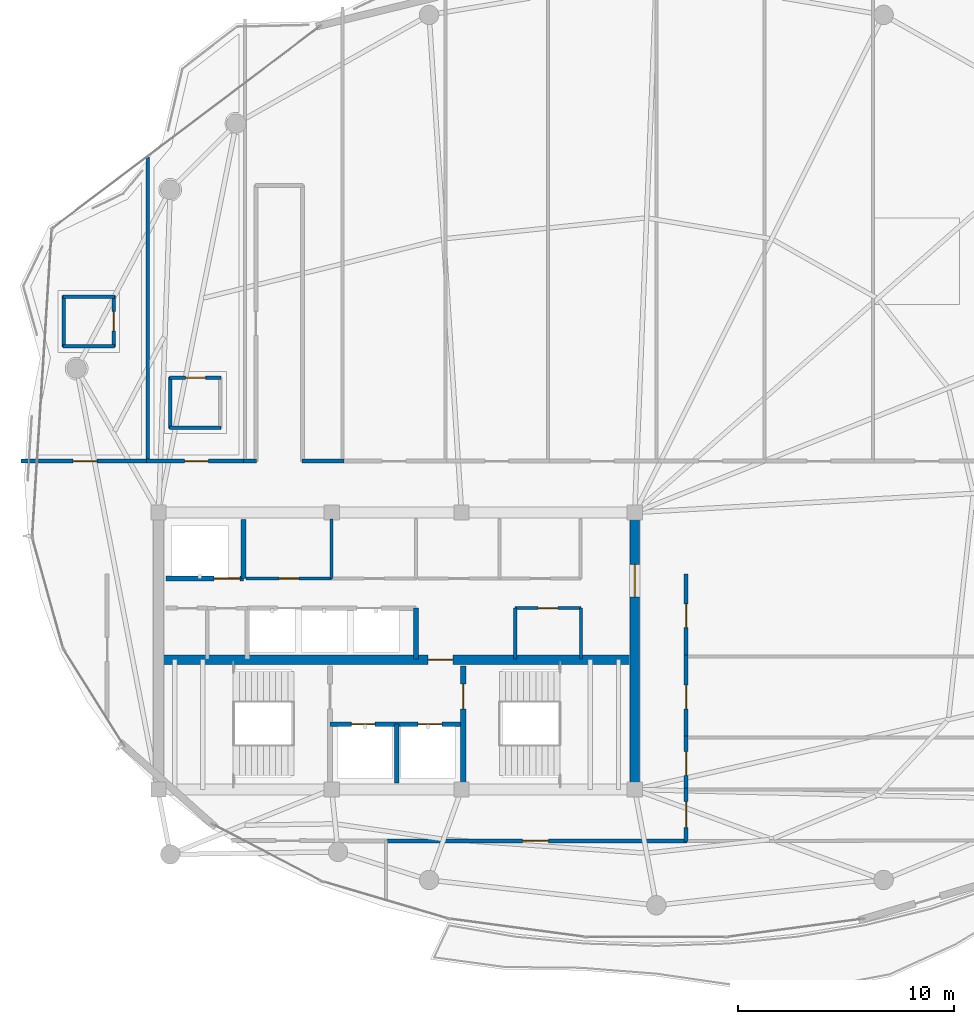
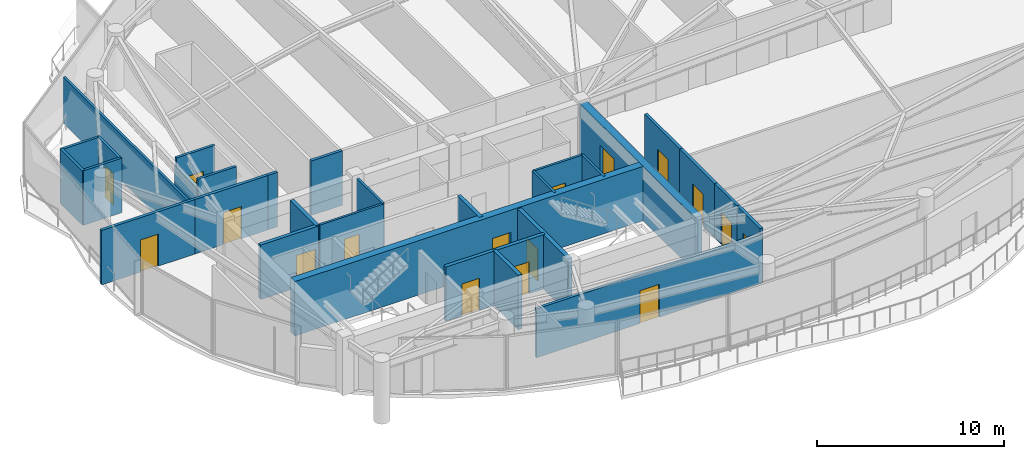
# One storey, part 25 of 30: 30 walls, 17 doors, 17 openings.
"""IFC4 building model written with IfcOpenShell, lengths in metres."""

from ifc_helpers import new_model, si_unit, direction, frame, frame_2d, origin, place, context, subcontext, project, spatial, rectangle, extrude, material, layer, layer_set, type_object, element, fill, save


model = new_model("IFC4")

# Units and contexts
model_context = context("Model", 3, precision=1e-05, world=origin(), true_north=direction((0.0, 1.0)))
body_context = subcontext(model_context, "Body", "Model", "MODEL_VIEW")
ifc_project = project(units=[si_unit("LENGTHUNIT", "METRE"), si_unit("AREAUNIT", "SQUARE_METRE"), si_unit("VOLUMEUNIT", "CUBIC_METRE"), si_unit("PLANEANGLEUNIT", "RADIAN"), si_unit("MASSUNIT", "GRAM", prefix="KILO")], contexts=[model_context])

# Site, building, storey
site_placement = place(None, origin())
site = spatial("IfcSite", under=ifc_project, at=site_placement, CompositionType="ELEMENT")
building_placement = place(site_placement, origin())
building = spatial("IfcBuilding", under=site, at=building_placement, Name="Kazevale Care Tower and Concert Hall", CompositionType="ELEMENT")
storey_placement = place(building_placement, frame((0.0, 0.0, 258.60009765625)))
storey = spatial("IfcBuildingStorey", under=building, at=storey_placement, Name="L68", CompositionType="ELEMENT", Elevation=258.60009765625)

# Wall, opening, door
ifc_material_1 = material(Name="Acoustic Gypsum on Steel Stud", Category="steel")
ifc_layer_1 = layer(ifc_material_1, 0.139892578125)
ifc_layer_set_1 = layer_set([ifc_layer_1], Name="Acoustic Gypsum on Steel Stud")
wall_type_1 = type_object("IfcWallType", Name="Acoustic Care & Suite Partition 140", PredefinedType="PARTITIONING", material=ifc_layer_set_1)
wall_1_placement = place(storey_placement, frame((26.050048828125, 33.35009765625, 0.0), z_axis=(0.0, 0.0, 1.0), x_axis=(1.0, 0.0, 0.0)))
wall_1 = element("IfcWall", 1, at=wall_1_placement, inside=storey, type_object=wall_type_1, Name="wall:L68:c_rpl1_s", PredefinedType="PARTITIONING", context=body_context, shape_type="SweptSolid", body=[
    extrude(rectangle(XDim=3.949951171875, YDim=0.139892578125, at=frame_2d((1.97509765625, 0.0))), origin(), (0.0, 0.0, 1.0), 3.559814453125),
])
opening_1_placement = place(wall_1_placement, frame((1.514892578125, 0.0, 0.0)))
opening_1 = element("IfcOpeningElement", 2, at=opening_1_placement, cuts=wall_1, Name="Opening ID-900", PredefinedType="OPENING", context=body_context, shape_type="SweptSolid", body=[
    extrude(rectangle(XDim=0.919921875, YDim=2.10009765625, at=frame_2d((0.4599609375, 1.050048828125))), frame((0.0, 0.079833984375, 0.0), z_axis=(0.0, -1.0, 0.0), x_axis=(1.0, 0.0, 0.0)), (0.0, 0.0, 1.0), 0.159912109375),
])
ifc_material_2 = material(Name="Oak Timber Fire Leaf", Category="wood")
door_type_1 = type_object("IfcDoorType", Name="Bathroom & Service Door 920x2100", OperationType="NOTDEFINED", PredefinedType="DOOR", material=ifc_material_2)
door_1_placement = place(opening_1_placement, origin())
door_1 = element("IfcDoor", 3, at=door_1_placement, inside=storey, type_object=door_type_1, Name="door:L68:d_rpl1", OperationType="SINGLE_SWING_LEFT", OverallHeight=2.10009765625, OverallWidth=0.919921875, PredefinedType="DOOR", context=body_context, shape_type="SweptSolid", body=[
    extrude(rectangle(XDim=0.919921875, YDim=2.10009765625, at=frame_2d((0.4599609375, 1.050048828125))), frame((0.0, 0.02490234375, 0.0), z_axis=(0.0, -1.0, 0.0), x_axis=(1.0, 0.0, 0.0)), (0.0, 0.0, 1.0), 0.050048828125),
])
fill(opening_1, door_1)

# Walls
wall_2_placement = place(storey_placement, frame((30.0, 33.35009765625, 0.0), z_axis=(0.0, 0.0, 1.0), x_axis=(0.0, 1.0, 0.0)))
element("IfcWall", 4, at=wall_2_placement, inside=storey, type_object=wall_type_1, Name="wall:L68:c_rpl_m", PredefinedType="PARTITIONING", context=body_context, shape_type="SweptSolid", body=[
    extrude(rectangle(XDim=2.75, YDim=0.139892578125, at=frame_2d((1.375, 0.0))), origin(), (0.0, 0.0, 1.0), 3.559814453125),
])
for number, where, z_axis, x_axis, name in (
    (5, (38.47998046875, 29.6201171875, 0.0), (0.0, 0.0, 1.0), (0.0, 1.0, 0.0), "wall:L68:kb_ew"),
    (6, (41.52001953125, 29.6201171875, 0.0), (0.0, 0.0, 1.0), (0.0, 1.0, 0.0), "wall:L68:kb_ee"),
):
    element("IfcWall", number, at=place(storey_placement, frame(where, z_axis=z_axis, x_axis=x_axis)), inside=storey, type_object=wall_type_1, Name=name, PredefinedType="PARTITIONING", context=body_context, shape_type="SweptSolid", body=[
        extrude(rectangle(XDim=2.35986328125, YDim=0.139892578125, at=frame_2d((1.179931640625, 0.0))), origin(), (0.0, 0.0, 1.0), 3.559814453125),
    ])

# Wall, opening, door
wall_3_placement = place(storey_placement, frame((38.47998046875, 31.97998046875, 0.0), z_axis=(0.0, 0.0, 1.0), x_axis=(1.0, 0.0, 0.0)))
wall_3 = element("IfcWall", 7, at=wall_3_placement, inside=storey, type_object=wall_type_1, Name="wall:L68:kb_en", PredefinedType="PARTITIONING", context=body_context, shape_type="SweptSolid", body=[
    extrude(rectangle(XDim=3.0400390625, YDim=0.139892578125, at=frame_2d((1.52001953125, 0.0))), origin(), (0.0, 0.0, 1.0), 3.559814453125),
])
opening_2_placement = place(wall_3_placement, frame((1.044921875, 0.0, 0.0)))
opening_2 = element("IfcOpeningElement", 8, at=opening_2_placement, cuts=wall_3, Name="Opening ID-900", PredefinedType="OPENING", context=body_context, shape_type="SweptSolid", body=[
    extrude(rectangle(XDim=0.919921875, YDim=2.10009765625, at=frame_2d((0.4599609375, 1.050048828125))), frame((0.0, 0.079833984375, 0.0), z_axis=(0.0, -1.0, 0.0), x_axis=(1.0, 0.0, 0.0)), (0.0, 0.0, 1.0), 0.159912109375),
])
door_2_placement = place(opening_2_placement, origin())
door_2 = element("IfcDoor", 9, at=door_2_placement, inside=storey, type_object=door_type_1, Name="door:L68:d_kbe", OperationType="SINGLE_SWING_LEFT", OverallHeight=2.10009765625, OverallWidth=0.919921875, PredefinedType="DOOR", context=body_context, shape_type="SweptSolid", body=[
    extrude(rectangle(XDim=0.919921875, YDim=2.10009765625, at=frame_2d((0.4599609375, 1.050048828125))), frame((0.0, 0.02490234375, 0.0), z_axis=(0.0, -1.0, 0.0), x_axis=(1.0, 0.0, 0.0)), (0.0, 0.0, 1.0), 0.050048828125),
])
fill(opening_2, door_2)

# Wall
wall_4_placement = place(storey_placement, frame((21.5, 52.818115234375, 0.0), z_axis=(0.0, 0.0, 1.0), x_axis=(0.0, -1.0, 0.0)))
element("IfcWall", 10, at=wall_4_placement, inside=storey, type_object=wall_type_1, Name="wall:L68:auto_022", PredefinedType="PARTITIONING", context=body_context, shape_type="SweptSolid", body=[
    extrude(rectangle(XDim=14.072998046875, YDim=0.139892578125, at=frame_2d((7.03662109375, 0.0))), origin(), (0.0, 0.0, 1.0), 3.005859375),
])

# Wall, opening, door
ifc_material_3 = material(Name="Concrete C50", Category="concrete")
ifc_layer_2 = layer(ifc_material_3, 0.449951171875)
ifc_layer_set_2 = layer_set([ifc_layer_2], Name="Concrete C50")
wall_type_2 = type_object("IfcWallType", Name="Core Shear Wall 450 C50", PredefinedType="SHEAR", material=ifc_layer_set_2)
wall_5_placement = place(storey_placement, frame((44.0, 23.824951171875, 0.0), z_axis=(0.0, 0.0, 1.0), x_axis=(0.0, 1.0, 0.0)))
wall_5 = element("IfcWall", 11, at=wall_5_placement, inside=storey, type_object=wall_type_2, Name="wall:L68:core:E", PredefinedType="SHEAR", context=body_context, shape_type="SweptSolid", body=[
    extrude(rectangle(XDim=12.35009765625, YDim=0.449951171875, at=frame_2d((6.175048828125, 0.0))), origin(), (0.0, 0.0, 1.0), 3.559814453125),
])
opening_3_placement = place(wall_5_placement, frame((8.675048828125, 0.0, 0.0)))
opening_3 = element("IfcOpeningElement", 12, at=opening_3_placement, cuts=wall_5, Name="Opening FD-60D", PredefinedType="OPENING", context=body_context, shape_type="SweptSolid", body=[
    extrude(rectangle(XDim=1.5, YDim=2.14990234375, at=frame_2d((0.75, 1.074951171875))), frame((0.0, 0.23486328125, 0.0), z_axis=(0.0, -1.0, 0.0), x_axis=(1.0, 0.0, 0.0)), (0.0, 0.0, 1.0), 0.469970703125),
])
door_type_2 = type_object("IfcDoorType", Name="Double Lobby & Auditorium Fire Door 1500x2150", OperationType="NOTDEFINED", PredefinedType="DOOR", material=ifc_material_2)
door_3_placement = place(opening_3_placement, origin())
door_3 = element("IfcDoor", 13, at=door_3_placement, inside=storey, type_object=door_type_2, Name="door:L68:core_east_out", OperationType="DOUBLE_DOOR_SINGLE_SWING", OverallHeight=2.14990234375, OverallWidth=1.5, PredefinedType="DOOR", context=body_context, shape_type="SweptSolid", body=[
    extrude(rectangle(XDim=1.5, YDim=2.14990234375, at=frame_2d((0.75, 1.074951171875))), frame((0.0, 0.02490234375, 0.0), z_axis=(0.0, -1.0, 0.0), x_axis=(1.0, 0.0, 0.0)), (0.0, 0.0, 1.0), 0.050048828125),
])
fill(opening_3, door_3)

wall_6_placement = place(storey_placement, frame((22.22509765625, 29.60009765625, 0.0), z_axis=(0.0, 0.0, 1.0), x_axis=(1.0, 0.0, 0.0)))
wall_6 = element("IfcWall", 14, at=wall_6_placement, inside=storey, type_object=wall_type_2, Name="wall:L68:core:M", PredefinedType="SHEAR", context=body_context, shape_type="SweptSolid", body=[
    extrude(rectangle(XDim=21.5498046875, YDim=0.449951171875, at=frame_2d((10.77490234375, 0.0))), origin(), (0.0, 0.0, 1.0), 3.559814453125),
])
opening_4_placement = place(wall_6_placement, frame((12.22509765625, 0.0, 0.0)))
opening_4 = element("IfcOpeningElement", 15, at=opening_4_placement, cuts=wall_6, Name="Opening FD-90", PredefinedType="OPENING", context=body_context, shape_type="SweptSolid", body=[
    extrude(rectangle(XDim=1.14990234375, YDim=2.10009765625, at=frame_2d((0.574951171875, 1.050048828125))), frame((0.0, 0.23486328125, 0.0), z_axis=(0.0, -1.0, 0.0), x_axis=(1.0, 0.0, 0.0)), (0.0, 0.0, 1.0), 0.469970703125),
])
ifc_material_4 = material(Name="Steel ASTM A572 Gr 50", Category="steel")
door_type_3 = type_object("IfcDoorType", Name="Pressurized Stair & Lobby Fire Door 1150x2100", OperationType="NOTDEFINED", PredefinedType="DOOR", material=ifc_material_4)
door_4_placement = place(opening_4_placement, origin())
door_4 = element("IfcDoor", 16, at=door_4_placement, inside=storey, type_object=door_type_3, Name="door:L68:ff_to_pax", OperationType="SINGLE_SWING_LEFT", OverallHeight=2.10009765625, OverallWidth=1.14990234375, PredefinedType="DOOR", context=body_context, shape_type="SweptSolid", body=[
    extrude(rectangle(XDim=1.14990234375, YDim=2.10009765625, at=frame_2d((0.574951171875, 1.050048828125))), frame((0.0, 0.02490234375, 0.0), z_axis=(0.0, -1.0, 0.0), x_axis=(1.0, 0.0, 0.0)), (0.0, 0.0, 1.0), 0.050048828125),
])
fill(opening_4, door_4)

# Wall, openings, doors
ifc_material_5 = material(Name="Concrete C40", Category="concrete")
ifc_layer_3 = layer(ifc_material_5, 0.219970703125)
ifc_layer_set_3 = layer_set([ifc_layer_3], Name="Concrete C40")
wall_type_3 = type_object("IfcWallType", Name="Elevator Hoistway Shaft Wall 220", PredefinedType="SOLIDWALL", material=ifc_layer_set_3)
wall_7_placement = place(storey_placement, frame((29.919921875, 26.6201171875, 0.0), z_axis=(0.0, 0.0, 1.0), x_axis=(1.0, 0.0, 0.0)))
wall_7 = element("IfcWall", 17, at=wall_7_placement, inside=storey, type_object=wall_type_3, Name="wall:L68:c_ffl_n", PredefinedType="SOLIDWALL", context=body_context, shape_type="SweptSolid", body=[
    extrude(rectangle(XDim=6.16015625, YDim=0.219970703125, at=frame_2d((3.080078125, 0.0))), origin(), (0.0, 0.0, 1.0), 3.559814453125),
])
opening_5_placement = place(wall_7_placement, frame((0.989990234375, 0.0, 0.0)))
opening_5 = element("IfcOpeningElement", 18, at=opening_5_placement, cuts=wall_7, Name="Opening LD-FF", PredefinedType="OPENING", context=body_context, shape_type="SweptSolid", body=[
    extrude(rectangle(XDim=1.10009765625, YDim=2.10009765625, at=frame_2d((0.550048828125, 1.050048828125))), frame((0.0, 0.119873046875, 0.0), z_axis=(0.0, -1.0, 0.0), x_axis=(1.0, 0.0, 0.0)), (0.0, 0.0, 1.0), 0.239990234375),
])
opening_6_placement = place(wall_7_placement, frame((4.070068359375, 0.0, 0.0)))
opening_6 = element("IfcOpeningElement", 19, at=opening_6_placement, cuts=wall_7, Name="Opening LD-FF", PredefinedType="OPENING", context=body_context, shape_type="SweptSolid", body=[
    extrude(rectangle(XDim=1.10009765625, YDim=2.10009765625, at=frame_2d((0.550048828125, 1.050048828125))), frame((0.0, 0.119873046875, 0.0), z_axis=(0.0, -1.0, 0.0), x_axis=(1.0, 0.0, 0.0)), (0.0, 0.0, 1.0), 0.239990234375),
])
ifc_material_6 = material(Name="Stainless Steel 316", Category="steel")
door_type_4 = type_object("IfcDoorType", Name="Emergency Lift Sliding Landing Door 1100x2100", OperationType="NOTDEFINED", PredefinedType="DOOR", material=ifc_material_6)
door_5_placement = place(opening_5_placement, origin())
door_5 = element("IfcDoor", 20, at=door_5_placement, inside=storey, type_object=door_type_4, Name="door:L68:ld_ffl1", OperationType="SLIDING_TO_LEFT", OverallHeight=2.10009765625, OverallWidth=1.10009765625, PredefinedType="DOOR", context=body_context, shape_type="SweptSolid", body=[
    extrude(rectangle(XDim=1.10009765625, YDim=2.10009765625, at=frame_2d((0.550048828125, 1.050048828125))), frame((0.0, 0.02490234375, 0.0), z_axis=(0.0, -1.0, 0.0), x_axis=(1.0, 0.0, 0.0)), (0.0, 0.0, 1.0), 0.050048828125),
])
fill(opening_5, door_5)
door_6_placement = place(opening_6_placement, origin())
door_6 = element("IfcDoor", 21, at=door_6_placement, inside=storey, type_object=door_type_4, Name="door:L68:ld_ffl2", OperationType="SLIDING_TO_RIGHT", OverallHeight=2.10009765625, OverallWidth=1.10009765625, PredefinedType="DOOR", context=body_context, shape_type="SweptSolid", body=[
    extrude(rectangle(XDim=1.10009765625, YDim=2.10009765625, at=frame_2d((0.550048828125, 1.050048828125))), frame((0.0, 0.02490234375, 0.0), z_axis=(0.0, -1.0, 0.0), x_axis=(1.0, 0.0, 0.0)), (0.0, 0.0, 1.0), 0.050048828125),
])
fill(opening_6, door_6)

# Walls
wall_8_placement = place(storey_placement, frame((33.0, 23.89990234375, 0.0), z_axis=(0.0, 0.0, 1.0), x_axis=(0.0, 1.0, 0.0)))
element("IfcWall", 22, at=wall_8_placement, inside=storey, type_object=wall_type_3, Name="wall:L68:c_ffl_m", PredefinedType="SOLIDWALL", context=body_context, shape_type="SweptSolid", body=[
    extrude(rectangle(XDim=2.72021484375, YDim=0.219970703125, at=frame_2d((1.360107421875, 0.0))), origin(), (0.0, 0.0, 1.0), 3.559814453125),
])
wall_9_placement = place(storey_placement, frame((25.919921875, 33.35009765625, 0.0), z_axis=(0.0, 0.0, 1.0), x_axis=(0.0, 1.0, 0.0)))
element("IfcWall", 23, at=wall_9_placement, inside=storey, type_object=wall_type_3, Name="wall:L68:c_svl_e", PredefinedType="SOLIDWALL", context=body_context, shape_type="SweptSolid", body=[
    extrude(rectangle(XDim=2.72998046875, YDim=0.219970703125, at=frame_2d((1.364990234375, 0.0))), origin(), (0.0, 0.0, 1.0), 3.559814453125),
])

# Wall, opening, door
wall_10_placement = place(storey_placement, frame((22.35009765625, 33.35009765625, 0.0), z_axis=(0.0, 0.0, 1.0), x_axis=(1.0, 0.0, 0.0)))
wall_10 = element("IfcWall", 24, at=wall_10_placement, inside=storey, type_object=wall_type_3, Name="wall:L68:c_svl_s", PredefinedType="SOLIDWALL", context=body_context, shape_type="SweptSolid", body=[
    extrude(rectangle(XDim=3.56982421875, YDim=0.219970703125, at=frame_2d((1.784912109375, 0.0))), origin(), (0.0, 0.0, 1.0), 3.559814453125),
])
opening_7_placement = place(wall_10_placement, frame((2.212890625, 0.0, 0.0)))
opening_7 = element("IfcOpeningElement", 25, at=opening_7_placement, cuts=wall_10, Name="Opening LD-SV", PredefinedType="OPENING", context=body_context, shape_type="SweptSolid", body=[
    extrude(rectangle(XDim=1.199951171875, YDim=2.10009765625, at=frame_2d((0.60009765625, 1.050048828125))), frame((0.0, 0.119873046875, 0.0), z_axis=(0.0, -1.0, 0.0), x_axis=(1.0, 0.0, 0.0)), (0.0, 0.0, 1.0), 0.239990234375),
])
door_type_5 = type_object("IfcDoorType", Name="Service Lift Sliding Landing Door 1200x2100", OperationType="NOTDEFINED", PredefinedType="DOOR", material=ifc_material_6)
door_7_placement = place(opening_7_placement, origin())
door_7 = element("IfcDoor", 26, at=door_7_placement, inside=storey, type_object=door_type_5, Name="door:L68:ld_svl1", OperationType="SLIDING_TO_LEFT", OverallHeight=2.10009765625, OverallWidth=1.199951171875, PredefinedType="DOOR", context=body_context, shape_type="SweptSolid", body=[
    extrude(rectangle(XDim=1.199951171875, YDim=2.10009765625, at=frame_2d((0.60009765625, 1.050048828125))), frame((0.0, 0.02490234375, 0.0), z_axis=(0.0, -1.0, 0.0), x_axis=(1.0, 0.0, 0.0)), (0.0, 0.0, 1.0), 0.050048828125),
])
fill(opening_7, door_7)

# Wall
wall_11_placement = place(storey_placement, frame((33.89990234375, 29.6201171875, 0.0), z_axis=(0.0, 0.0, 1.0), x_axis=(0.0, 1.0, 0.0)))
element("IfcWall", 27, at=wall_11_placement, inside=storey, type_object=wall_type_3, Name="wall:L68:c_ph_e", PredefinedType="SOLIDWALL", context=body_context, shape_type="SweptSolid", body=[
    extrude(rectangle(XDim=2.35986328125, YDim=0.219970703125, at=frame_2d((1.179931640625, 0.0))), origin(), (0.0, 0.0, 1.0), 3.559814453125),
])

# Wall, opening, door
ifc_material_7 = material(Name="Concrete C40 and Acoustic Gypsum", Category="concrete")
ifc_layer_4 = layer(ifc_material_7, 0.179931640625)
ifc_layer_set_4 = layer_set([ifc_layer_4], Name="Concrete C40 and Acoustic Gypsum")
wall_type_4 = type_object("IfcWallType", Name="Fire-Rated Corridor & Party Wall 180", PredefinedType="PARTITIONING", material=ifc_layer_set_4)
wall_12_placement = place(storey_placement, frame((15.65087890625, 38.77490234375, 0.0), z_axis=(0.0, 0.0, 1.0), x_axis=(1.0, 0.0, 0.0)))
wall_12 = element("IfcWall", 28, at=wall_12_placement, inside=storey, type_object=wall_type_4, Name="wall:L68:auto_001", PredefinedType="PARTITIONING", context=body_context, shape_type="SweptSolid", body=[
    extrude(rectangle(XDim=5.9140625, YDim=0.179931640625, at=frame_2d((2.95703125, 0.0))), origin(), (0.0, 0.0, 1.0), 3.559814453125),
])
opening_8_placement = place(wall_12_placement, frame((2.406982421875, 0.0, 0.0)))
opening_8 = element("IfcOpeningElement", 29, at=opening_8_placement, cuts=wall_12, Name="Opening ID-1100", PredefinedType="OPENING", context=body_context, shape_type="SweptSolid", body=[
    extrude(rectangle(XDim=1.10009765625, YDim=2.10009765625, at=frame_2d((0.550048828125, 1.050048828125))), frame((0.0, 0.099853515625, 0.0), z_axis=(0.0, -1.0, 0.0), x_axis=(1.0, 0.0, 0.0)), (0.0, 0.0, 1.0), 0.199951171875),
])
door_type_6 = type_object("IfcDoorType", Name="Care Bedroom Accessible Door 1100x2100", OperationType="NOTDEFINED", PredefinedType="DOOR", material=ifc_material_2)
door_8_placement = place(opening_8_placement, origin())
door_8 = element("IfcDoor", 30, at=door_8_placement, inside=storey, type_object=door_type_6, Name="door:L68:ad_001", OperationType="SINGLE_SWING_LEFT", OverallHeight=2.10009765625, OverallWidth=1.10009765625, PredefinedType="DOOR", context=body_context, shape_type="SweptSolid", body=[
    extrude(rectangle(XDim=1.10009765625, YDim=2.10009765625, at=frame_2d((0.550048828125, 1.050048828125))), frame((0.0, 0.02490234375, 0.0), z_axis=(0.0, -1.0, 0.0), x_axis=(1.0, 0.0, 0.0)), (0.0, 0.0, 1.0), 0.050048828125),
])
fill(opening_8, door_8)

wall_13_placement = place(storey_placement, frame((21.43505859375, 38.77490234375, 0.0), z_axis=(0.0, 0.0, 1.0), x_axis=(1.0, 0.0, 0.0)))
wall_13 = element("IfcWall", 31, at=wall_13_placement, inside=storey, type_object=wall_type_4, Name="wall:L68:auto_002", PredefinedType="PARTITIONING", context=body_context, shape_type="SweptSolid", body=[
    extrude(rectangle(XDim=4.6298828125, YDim=0.179931640625, at=frame_2d((2.31494140625, 0.0))), origin(), (0.0, 0.0, 1.0), 3.559814453125),
])
opening_9_placement = place(wall_13_placement, frame((1.764892578125, 0.0, 0.0)))
opening_9 = element("IfcOpeningElement", 32, at=opening_9_placement, cuts=wall_13, Name="Opening ID-1100", PredefinedType="OPENING", context=body_context, shape_type="SweptSolid", body=[
    extrude(rectangle(XDim=1.10009765625, YDim=2.10009765625, at=frame_2d((0.550048828125, 1.050048828125))), frame((0.0, 0.099853515625, 0.0), z_axis=(0.0, -1.0, 0.0), x_axis=(1.0, 0.0, 0.0)), (0.0, 0.0, 1.0), 0.199951171875),
])
door_9_placement = place(opening_9_placement, origin())
door_9 = element("IfcDoor", 33, at=door_9_placement, inside=storey, type_object=door_type_6, Name="door:L68:ad_002", OperationType="SINGLE_SWING_LEFT", OverallHeight=2.10009765625, OverallWidth=1.10009765625, PredefinedType="DOOR", context=body_context, shape_type="SweptSolid", body=[
    extrude(rectangle(XDim=1.10009765625, YDim=2.10009765625, at=frame_2d((0.550048828125, 1.050048828125))), frame((0.0, 0.02490234375, 0.0), z_axis=(0.0, -1.0, 0.0), x_axis=(1.0, 0.0, 0.0)), (0.0, 0.0, 1.0), 0.050048828125),
])
fill(opening_9, door_9)

# Walls
wall_14_placement = place(storey_placement, frame((28.6201171875, 38.77490234375, 0.0), z_axis=(0.0, 0.0, 1.0), x_axis=(1.0, 0.0, 0.0)))
element("IfcWall", 34, at=wall_14_placement, inside=storey, type_object=wall_type_4, Name="wall:L68:auto_006", PredefinedType="PARTITIONING", context=body_context, shape_type="SweptSolid", body=[
    extrude(rectangle(XDim=1.94482421875, YDim=0.179931640625, at=frame_2d((0.972412109375, 0.0))), origin(), (0.0, 0.0, 1.0), 3.559814453125),
])
wall_15_placement = place(storey_placement, frame((25.93505859375, 38.77490234375, 0.0), z_axis=(0.0, 0.0, 1.0), x_axis=(1.0, 0.0, 0.0)))
element("IfcWall", 35, at=wall_15_placement, inside=storey, type_object=wall_type_4, Name="wall:L68:auto_007", PredefinedType="PARTITIONING", context=body_context, shape_type="SweptSolid", body=[
    extrude(rectangle(XDim=0.594970703125, YDim=0.179931640625, at=frame_2d((0.29736328125, 0.0))), origin(), (0.0, 0.0, 1.0), 3.559814453125),
])

# Wall, opening, door
wall_16_placement = place(storey_placement, frame((46.375, 23.675048828125, 0.0), z_axis=(0.0, 0.0, 1.0), x_axis=(0.0, -1.0, 0.0)))
wall_16 = element("IfcWall", 36, at=wall_16_placement, inside=storey, type_object=wall_type_4, Name="wall:L68:auto_015", PredefinedType="PARTITIONING", context=body_context, shape_type="SweptSolid", body=[
    extrude(rectangle(XDim=2.47998046875, YDim=0.179931640625, at=frame_2d((1.239990234375, 0.0))), origin(), (0.0, 0.0, 1.0), 3.559814453125),
])
opening_10_placement = place(wall_16_placement, frame((0.639892578125, 0.0, 0.0)))
opening_10 = element("IfcOpeningElement", 37, at=opening_10_placement, cuts=wall_16, Name="Opening ID-1200", PredefinedType="OPENING", context=body_context, shape_type="SweptSolid", body=[
    extrude(rectangle(XDim=1.199951171875, YDim=2.14990234375, at=frame_2d((0.60009765625, 1.074951171875))), frame((0.0, 0.099853515625, 0.0), z_axis=(0.0, -1.0, 0.0), x_axis=(1.0, 0.0, 0.0)), (0.0, 0.0, 1.0), 0.199951171875),
])
door_type_7 = type_object("IfcDoorType", Name="Clinical & Therapy Door 1200x2150", OperationType="NOTDEFINED", PredefinedType="DOOR", material=ifc_material_2)
door_10_placement = place(opening_10_placement, origin())
door_10 = element("IfcDoor", 38, at=door_10_placement, inside=storey, type_object=door_type_7, Name="door:L68:ad_015", OperationType="SINGLE_SWING_LEFT", OverallHeight=2.14990234375, OverallWidth=1.199951171875, PredefinedType="DOOR", context=body_context, shape_type="SweptSolid", body=[
    extrude(rectangle(XDim=1.199951171875, YDim=2.14990234375, at=frame_2d((0.60009765625, 1.074951171875))), frame((0.0, 0.02490234375, 0.0), z_axis=(0.0, -1.0, 0.0), x_axis=(1.0, 0.0, 0.0)), (0.0, 0.0, 1.0), 0.050048828125),
])
fill(opening_10, door_10)

wall_17_placement = place(storey_placement, frame((46.375, 26.06494140625, 0.0), z_axis=(0.0, 0.0, 1.0), x_axis=(0.0, -1.0, 0.0)))
wall_17 = element("IfcWall", 39, at=wall_17_placement, inside=storey, type_object=wall_type_4, Name="wall:L68:auto_016", PredefinedType="PARTITIONING", context=body_context, shape_type="SweptSolid", body=[
    extrude(rectangle(XDim=2.52001953125, YDim=0.179931640625, at=frame_2d((1.260009765625, 0.0))), origin(), (0.0, 0.0, 1.0), 3.559814453125),
])
opening_11_placement = place(wall_17_placement, frame((0.7099609375, 0.0, 0.0)))
opening_11 = element("IfcOpeningElement", 40, at=opening_11_placement, cuts=wall_17, Name="Opening ID-1100", PredefinedType="OPENING", context=body_context, shape_type="SweptSolid", body=[
    extrude(rectangle(XDim=1.10009765625, YDim=2.10009765625, at=frame_2d((0.550048828125, 1.050048828125))), frame((0.0, 0.099853515625, 0.0), z_axis=(0.0, -1.0, 0.0), x_axis=(1.0, 0.0, 0.0)), (0.0, 0.0, 1.0), 0.199951171875),
])
door_11_placement = place(opening_11_placement, origin())
door_11 = element("IfcDoor", 41, at=door_11_placement, inside=storey, type_object=door_type_6, Name="door:L68:ad_016", OperationType="SINGLE_SWING_LEFT", OverallHeight=2.10009765625, OverallWidth=1.10009765625, PredefinedType="DOOR", context=body_context, shape_type="SweptSolid", body=[
    extrude(rectangle(XDim=1.10009765625, YDim=2.10009765625, at=frame_2d((0.550048828125, 1.050048828125))), frame((0.0, 0.02490234375, 0.0), z_axis=(0.0, -1.0, 0.0), x_axis=(1.0, 0.0, 0.0)), (0.0, 0.0, 1.0), 0.050048828125),
])
fill(opening_11, door_11)

wall_18_placement = place(storey_placement, frame((46.375, 29.81494140625, 0.0), z_axis=(0.0, 0.0, 1.0), x_axis=(0.0, -1.0, 0.0)))
wall_18 = element("IfcWall", 42, at=wall_18_placement, inside=storey, type_object=wall_type_4, Name="wall:L68:auto_017", PredefinedType="PARTITIONING", context=body_context, shape_type="SweptSolid", body=[
    extrude(rectangle(XDim=3.8798828125, YDim=0.179931640625, at=frame_2d((1.93994140625, 0.0))), origin(), (0.0, 0.0, 1.0), 3.559814453125),
])
opening_12_placement = place(wall_18_placement, frame((1.389892578125, 0.0, 0.0)))
opening_12 = element("IfcOpeningElement", 43, at=opening_12_placement, cuts=wall_18, Name="Opening ID-1100", PredefinedType="OPENING", context=body_context, shape_type="SweptSolid", body=[
    extrude(rectangle(XDim=1.10009765625, YDim=2.10009765625, at=frame_2d((0.550048828125, 1.050048828125))), frame((0.0, 0.099853515625, 0.0), z_axis=(0.0, -1.0, 0.0), x_axis=(1.0, 0.0, 0.0)), (0.0, 0.0, 1.0), 0.199951171875),
])
door_12_placement = place(opening_12_placement, origin())
door_12 = element("IfcDoor", 44, at=door_12_placement, inside=storey, type_object=door_type_6, Name="door:L68:ad_017", OperationType="SINGLE_SWING_LEFT", OverallHeight=2.10009765625, OverallWidth=1.10009765625, PredefinedType="DOOR", context=body_context, shape_type="SweptSolid", body=[
    extrude(rectangle(XDim=1.10009765625, YDim=2.10009765625, at=frame_2d((0.550048828125, 1.050048828125))), frame((0.0, 0.02490234375, 0.0), z_axis=(0.0, -1.0, 0.0), x_axis=(1.0, 0.0, 0.0)), (0.0, 0.0, 1.0), 0.050048828125),
])
fill(opening_12, door_12)

wall_19_placement = place(storey_placement, frame((46.375, 33.56494140625, 0.0), z_axis=(0.0, 0.0, 1.0), x_axis=(0.0, -1.0, 0.0)))
wall_19 = element("IfcWall", 45, at=wall_19_placement, inside=storey, type_object=wall_type_4, Name="wall:L68:auto_018", PredefinedType="PARTITIONING", context=body_context, shape_type="SweptSolid", body=[
    extrude(rectangle(XDim=3.8798828125, YDim=0.179931640625, at=frame_2d((1.93994140625, 0.0))), origin(), (0.0, 0.0, 1.0), 3.559814453125),
])
opening_13_placement = place(wall_19_placement, frame((1.389892578125, 0.0, 0.0)))
opening_13 = element("IfcOpeningElement", 46, at=opening_13_placement, cuts=wall_19, Name="Opening ID-1100", PredefinedType="OPENING", context=body_context, shape_type="SweptSolid", body=[
    extrude(rectangle(XDim=1.10009765625, YDim=2.10009765625, at=frame_2d((0.550048828125, 1.050048828125))), frame((0.0, 0.099853515625, 0.0), z_axis=(0.0, -1.0, 0.0), x_axis=(1.0, 0.0, 0.0)), (0.0, 0.0, 1.0), 0.199951171875),
])
door_13_placement = place(opening_13_placement, origin())
door_13 = element("IfcDoor", 47, at=door_13_placement, inside=storey, type_object=door_type_6, Name="door:L68:ad_018", OperationType="SINGLE_SWING_LEFT", OverallHeight=2.10009765625, OverallWidth=1.10009765625, PredefinedType="DOOR", context=body_context, shape_type="SweptSolid", body=[
    extrude(rectangle(XDim=1.10009765625, YDim=2.10009765625, at=frame_2d((0.550048828125, 1.050048828125))), frame((0.0, 0.02490234375, 0.0), z_axis=(0.0, -1.0, 0.0), x_axis=(1.0, 0.0, 0.0)), (0.0, 0.0, 1.0), 0.050048828125),
])
fill(opening_13, door_13)

wall_20_placement = place(storey_placement, frame((46.405029296875, 21.22509765625, 0.0), z_axis=(0.0, 0.0, 1.0), x_axis=(-1.0, 0.0, 0.0)))
wall_20 = element("IfcWall", 48, at=wall_20_placement, inside=storey, type_object=wall_type_4, Name="wall:L68:auto_020", PredefinedType="PARTITIONING", context=body_context, shape_type="SweptSolid", body=[
    extrude(rectangle(XDim=13.969970703125, YDim=0.179931640625, at=frame_2d((6.98486328125, 0.0))), origin(), (0.0, 0.0, 1.0), 3.19580078125),
])
opening_14_placement = place(wall_20_placement, frame((6.385009765625, 0.0, 0.0)))
opening_14 = element("IfcOpeningElement", 49, at=opening_14_placement, cuts=wall_20, Name="Opening ID-1200", PredefinedType="OPENING", context=body_context, shape_type="SweptSolid", body=[
    extrude(rectangle(XDim=1.199951171875, YDim=2.14990234375, at=frame_2d((0.60009765625, 1.074951171875))), frame((0.0, 0.099853515625, 0.0), z_axis=(0.0, -1.0, 0.0), x_axis=(1.0, 0.0, 0.0)), (0.0, 0.0, 1.0), 0.199951171875),
])
door_14_placement = place(opening_14_placement, origin())
door_14 = element("IfcDoor", 50, at=door_14_placement, inside=storey, type_object=door_type_7, Name="door:L68:ad_020", OperationType="SINGLE_SWING_LEFT", OverallHeight=2.14990234375, OverallWidth=1.199951171875, PredefinedType="DOOR", context=body_context, shape_type="SweptSolid", body=[
    extrude(rectangle(XDim=1.199951171875, YDim=2.14990234375, at=frame_2d((0.60009765625, 1.074951171875))), frame((0.0, 0.02490234375, 0.0), z_axis=(0.0, -1.0, 0.0), x_axis=(1.0, 0.0, 0.0)), (0.0, 0.0, 1.0), 0.050048828125),
])
fill(opening_14, door_14)

# Walls
ifc_layer_5 = layer(ifc_material_1, 0.159912109375)
ifc_layer_set_5 = layer_set([ifc_layer_5], Name="Acoustic Gypsum on Steel Stud")
wall_type_5 = type_object("IfcWallType", Name="Moisture-Resistant Bathroom Plumbing Wall 160", PredefinedType="PLUMBINGWALL", material=ifc_layer_set_5)
for number, where, z_axis, x_axis, name in (
    (51, (17.5849609375, 44.074951171875, 0.0), (0.0, 0.0, 1.0), (1.0, 0.0, 0.0), "wall:L68:nb1_ens_ws"),
    (52, (17.5849609375, 46.375, 0.0), (0.0, 0.0, 1.0), (1.0, 0.0, 0.0), "wall:L68:nb1_ens_wn"),
    (53, (17.625, 44.034912109375, 0.0), (0.0, 0.0, 1.0), (0.0, 1.0, 0.0), "wall:L68:nb1_ens_ww"),
):
    element("IfcWall", number, at=place(storey_placement, frame(where, z_axis=z_axis, x_axis=x_axis)), inside=storey, type_object=wall_type_5, Name=name, PredefinedType="PLUMBINGWALL", context=body_context, shape_type="SweptSolid", body=[
        extrude(rectangle(XDim=2.380126953125, YDim=0.159912109375, at=frame_2d((1.18994140625, 0.0))), origin(), (0.0, 0.0, 1.0), 3.559814453125),
    ])

# Wall, opening, door
wall_21_placement = place(storey_placement, frame((19.925048828125, 44.034912109375, 0.0), z_axis=(0.0, 0.0, 1.0), x_axis=(0.0, 1.0, 0.0)))
wall_21 = element("IfcWall", 54, at=wall_21_placement, inside=storey, type_object=wall_type_5, Name="wall:L68:nb1_ens_we", PredefinedType="PLUMBINGWALL", context=body_context, shape_type="SweptSolid", body=[
    extrude(rectangle(XDim=2.380126953125, YDim=0.159912109375, at=frame_2d((1.18994140625, 0.0))), origin(), (0.0, 0.0, 1.0), 3.559814453125),
])
opening_15_placement = place(wall_21_placement, frame((0.739990234375, 0.0, 0.0)))
opening_15 = element("IfcOpeningElement", 55, at=opening_15_placement, cuts=wall_21, Name="Opening ID-900", PredefinedType="OPENING", context=body_context, shape_type="SweptSolid", body=[
    extrude(rectangle(XDim=0.919921875, YDim=2.10009765625, at=frame_2d((0.4599609375, 1.050048828125))), frame((0.0, 0.08984375, 0.0), z_axis=(0.0, -1.0, 0.0), x_axis=(1.0, 0.0, 0.0)), (0.0, 0.0, 1.0), 0.179931640625),
])
door_15_placement = place(opening_15_placement, origin())
door_15 = element("IfcDoor", 56, at=door_15_placement, inside=storey, type_object=door_type_1, Name="door:L68:nb1_ens_d", OperationType="SINGLE_SWING_LEFT", OverallHeight=2.10009765625, OverallWidth=0.919921875, PredefinedType="DOOR", context=body_context, shape_type="SweptSolid", body=[
    extrude(rectangle(XDim=0.919921875, YDim=2.10009765625, at=frame_2d((0.4599609375, 1.050048828125))), frame((0.0, 0.02490234375, 0.0), z_axis=(0.0, -1.0, 0.0), x_axis=(1.0, 0.0, 0.0)), (0.0, 0.0, 1.0), 0.050048828125),
])
fill(opening_15, door_15)

# Wall
wall_22_placement = place(storey_placement, frame((22.510009765625, 40.324951171875, 0.0), z_axis=(0.0, 0.0, 1.0), x_axis=(1.0, 0.0, 0.0)))
element("IfcWall", 57, at=wall_22_placement, inside=storey, type_object=wall_type_5, Name="wall:L68:nb2a_ens_ws", PredefinedType="PLUMBINGWALL", context=body_context, shape_type="SweptSolid", body=[
    extrude(rectangle(XDim=2.3798828125, YDim=0.159912109375, at=frame_2d((1.18994140625, 0.0))), origin(), (0.0, 0.0, 1.0), 3.559814453125),
])

# Wall, opening, door
wall_23_placement = place(storey_placement, frame((22.510009765625, 42.625, 0.0), z_axis=(0.0, 0.0, 1.0), x_axis=(1.0, 0.0, 0.0)))
wall_23 = element("IfcWall", 58, at=wall_23_placement, inside=storey, type_object=wall_type_5, Name="wall:L68:nb2a_ens_wn", PredefinedType="PLUMBINGWALL", context=body_context, shape_type="SweptSolid", body=[
    extrude(rectangle(XDim=2.3798828125, YDim=0.159912109375, at=frame_2d((1.18994140625, 0.0))), origin(), (0.0, 0.0, 1.0), 3.559814453125),
])
opening_16_placement = place(wall_23_placement, frame((0.739990234375, 0.0, 0.0)))
opening_16 = element("IfcOpeningElement", 59, at=opening_16_placement, cuts=wall_23, Name="Opening ID-900", PredefinedType="OPENING", context=body_context, shape_type="SweptSolid", body=[
    extrude(rectangle(XDim=0.919921875, YDim=2.10009765625, at=frame_2d((0.4599609375, 1.050048828125))), frame((0.0, 0.08984375, 0.0), z_axis=(0.0, -1.0, 0.0), x_axis=(1.0, 0.0, 0.0)), (0.0, 0.0, 1.0), 0.179931640625),
])
door_16_placement = place(opening_16_placement, origin())
door_16 = element("IfcDoor", 60, at=door_16_placement, inside=storey, type_object=door_type_1, Name="door:L68:nb2a_ens_d", OperationType="SINGLE_SWING_RIGHT", OverallHeight=2.10009765625, OverallWidth=0.919921875, PredefinedType="DOOR", context=body_context, shape_type="SweptSolid", body=[
    extrude(rectangle(XDim=0.919921875, YDim=2.10009765625, at=frame_2d((0.4599609375, 1.050048828125))), frame((0.0, 0.02490234375, 0.0), z_axis=(0.0, -1.0, 0.0), x_axis=(1.0, 0.0, 0.0)), (0.0, 0.0, 1.0), 0.050048828125),
])
fill(opening_16, door_16)

# Wall
wall_24_placement = place(storey_placement, frame((22.550048828125, 40.284912109375, 0.0), z_axis=(0.0, 0.0, 1.0), x_axis=(0.0, 1.0, 0.0)))
element("IfcWall", 61, at=wall_24_placement, inside=storey, type_object=wall_type_5, Name="wall:L68:nb2a_ens_ww", PredefinedType="PLUMBINGWALL", context=body_context, shape_type="SweptSolid", body=[
    extrude(rectangle(XDim=2.380126953125, YDim=0.159912109375, at=frame_2d((1.18994140625, 0.0))), origin(), (0.0, 0.0, 1.0), 3.005859375),
])

# Wall, opening, door
ifc_layer_6 = layer(ifc_material_5, 0.25)
ifc_layer_set_6 = layer_set([ifc_layer_6], Name="Concrete C40")
wall_type_6 = type_object("IfcWallType", Name="Pressurized Stair Shaft Wall 250", PredefinedType="SOLIDWALL", material=ifc_layer_set_6)
wall_25_placement = place(storey_placement, frame((36.080078125, 23.89990234375, 0.0), z_axis=(0.0, 0.0, 1.0), x_axis=(0.0, 1.0, 0.0)))
wall_25 = element("IfcWall", 62, at=wall_25_placement, inside=storey, type_object=wall_type_6, Name="wall:L68:c_st2_w", PredefinedType="SOLIDWALL", context=body_context, shape_type="SweptSolid", body=[
    extrude(rectangle(XDim=5.400146484375, YDim=0.25, at=frame_2d((2.7001953125, 0.0))), origin(), (0.0, 0.0, 1.0), 3.559814453125),
])
opening_17_placement = place(wall_25_placement, frame((3.4208984375, 0.0, 0.0)))
opening_17 = element("IfcOpeningElement", 63, at=opening_17_placement, cuts=wall_25, Name="Opening FD-90", PredefinedType="OPENING", context=body_context, shape_type="SweptSolid", body=[
    extrude(rectangle(XDim=1.14990234375, YDim=2.10009765625, at=frame_2d((0.574951171875, 1.050048828125))), frame((0.0, 0.135009765625, 0.0), z_axis=(0.0, -1.0, 0.0), x_axis=(1.0, 0.0, 0.0)), (0.0, 0.0, 1.0), 0.27001953125),
])
door_17_placement = place(opening_17_placement, origin())
door_17 = element("IfcDoor", 64, at=door_17_placement, inside=storey, type_object=door_type_3, Name="door:L68:st2", OperationType="SINGLE_SWING_LEFT", OverallHeight=2.10009765625, OverallWidth=1.14990234375, PredefinedType="DOOR", context=body_context, shape_type="SweptSolid", body=[
    extrude(rectangle(XDim=1.14990234375, YDim=2.10009765625, at=frame_2d((0.574951171875, 1.050048828125))), frame((0.0, 0.02490234375, 0.0), z_axis=(0.0, -1.0, 0.0), x_axis=(1.0, 0.0, 0.0)), (0.0, 0.0, 1.0), 0.050048828125),
])
fill(opening_17, door_17)

save(model, "model.ifc")
